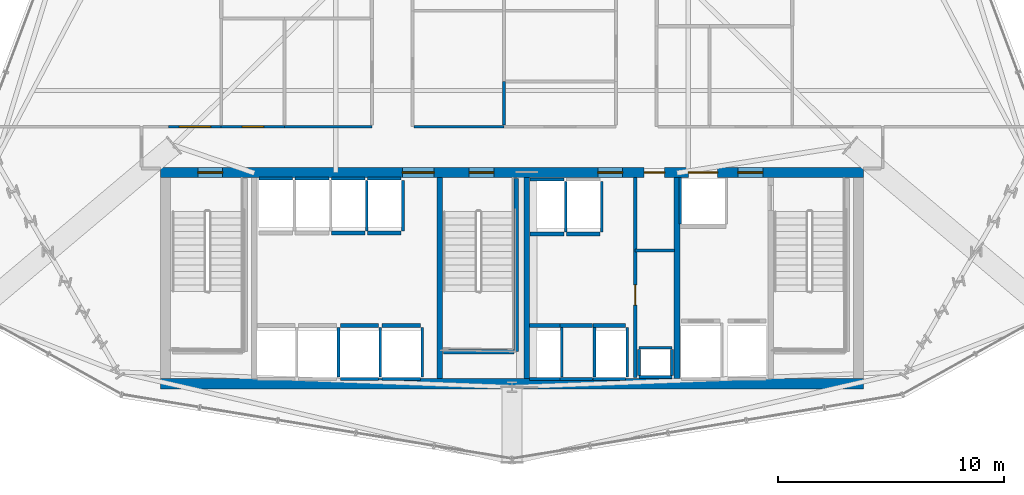
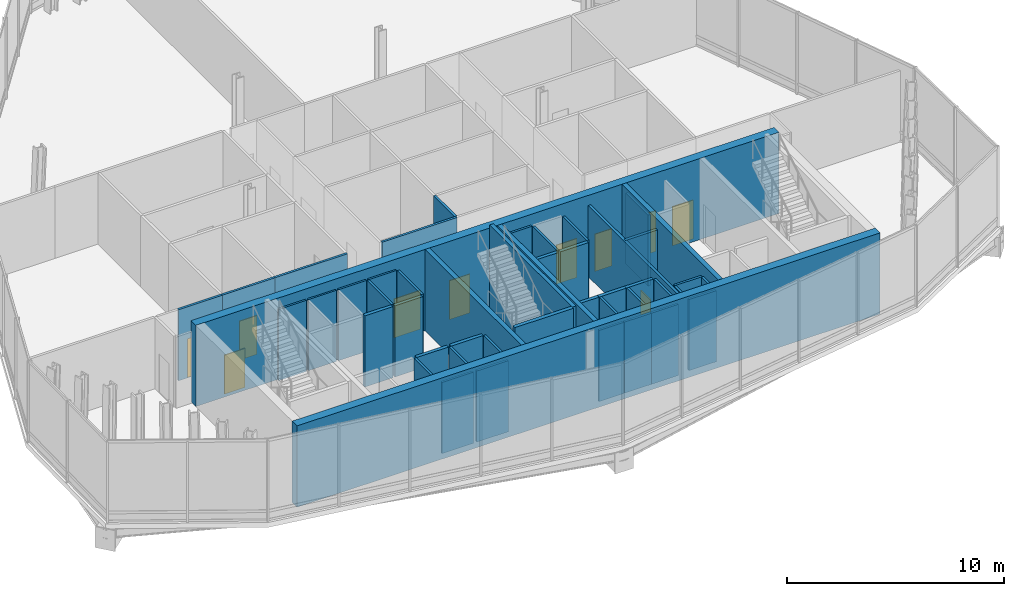
# One storey, part 21 of 26: 48 walls, 10 doors, 10 openings.
"""IFC4 building model written with IfcOpenShell, lengths in metres."""

from ifc_helpers import new_model, si_unit, direction, frame, frame_2d, origin, place, context, subcontext, project, spatial, rectangle, extrude, material, layer, layer_set, type_object, element, fill, save


model = new_model("IFC4")

# Units and contexts
model_context = context("Model", 3, precision=1e-05, world=origin(), true_north=direction((0.0, 1.0)))
body_context = subcontext(model_context, "Body", "Model", "MODEL_VIEW")
ifc_project = project(units=[si_unit("LENGTHUNIT", "METRE"), si_unit("AREAUNIT", "SQUARE_METRE"), si_unit("VOLUMEUNIT", "CUBIC_METRE"), si_unit("PLANEANGLEUNIT", "RADIAN"), si_unit("MASSUNIT", "GRAM", prefix="KILO")], contexts=[model_context])

# Site, building, storey
site_placement = place(None, origin())
site = spatial("IfcSite", under=ifc_project, at=site_placement, CompositionType="ELEMENT")
building_placement = place(site_placement, origin())
building = spatial("IfcBuilding", under=site, at=building_placement, Name="Ndaravel Arena Tower", CompositionType="ELEMENT")
storey_placement = place(building_placement, frame((0.0, 0.0, 122.199951171875)))
storey = spatial("IfcBuildingStorey", under=building, at=storey_placement, Name="L28", CompositionType="ELEMENT", Elevation=122.199951171875)

# Wall, opening, door
ifc_material_1 = material(Name="Gypsum", Category="gypsum")
ifc_layer_1 = layer(ifc_material_1, 0.14990234375)
ifc_layer_set_1 = layer_set([ifc_layer_1], Name="Gypsum")
wall_type_1 = type_object("IfcWallType", Name="WALL-COMP-150", PredefinedType="PARTITIONING", material=ifc_layer_set_1)
wall_1_placement = place(storey_placement, frame((47.449951171875, 5.89990234375, 0.0), z_axis=(0.0, 0.0, 1.0), x_axis=(0.0, 1.0, 0.0)))
wall_1 = element("IfcWall", 1, at=wall_1_placement, inside=storey, type_object=wall_type_1, Name="L28 Core Riser Bay Partition", PredefinedType="PARTITIONING", context=body_context, shape_type="SweptSolid", body=[
    extrude(rectangle(XDim=8.85009765625, YDim=0.14990234375, at=frame_2d((4.425048828125, 0.0))), origin(), (0.0, 0.0, 1.0), 4.010498046875),
])
opening_1_placement = place(wall_1_placement, frame((3.199951171875, 0.0, 0.0)))
opening_1 = element("IfcOpeningElement", 2, at=opening_1_placement, cuts=wall_1, Name="Opening RD-01", PredefinedType="OPENING", context=body_context, shape_type="SweptSolid", body=[
    extrude(rectangle(XDim=0.89990234375, YDim=2.10009765625, at=frame_2d((0.449951171875, 1.050048828125))), frame((0.0, 0.074951171875, 0.0), z_axis=(0.0, -1.0, 0.0), x_axis=(1.0, 0.0, 0.0)), (0.0, 0.0, 1.0), 0.14990234375),
])
ifc_material_2 = material(Name="Steel S355", Category="steel")
door_type_1 = type_object("IfcDoorType", Name="DT-08-RISER-900", OperationType="SINGLE_SWING_LEFT", PredefinedType="DOOR", material=ifc_material_2)
door_1_placement = place(opening_1_placement, origin())
door_1 = element("IfcDoor", 3, at=door_1_placement, inside=storey, type_object=door_type_1, Name="L28 Sub-Metering Closet Door", OperationType="SINGLE_SWING_LEFT", OverallHeight=2.10009765625, OverallWidth=0.89990234375, PredefinedType="DOOR", context=body_context, shape_type="SweptSolid", body=[
    extrude(rectangle(XDim=0.89990234375, YDim=2.10009765625, at=frame_2d((0.449951171875, 1.050048828125))), frame((0.0, 0.02490234375, 0.0), z_axis=(0.0, -1.0, 0.0), x_axis=(1.0, 0.0, 0.0)), (0.0, 0.0, 1.0), 0.050048828125),
])
fill(opening_1, door_1)

# Walls
wall_2_placement = place(storey_placement, frame((47.449951171875, 11.52001953125, 0.0), z_axis=(0.0, 0.0, 1.0), x_axis=(1.0, 0.0, 0.0)))
element("IfcWall", 4, at=wall_2_placement, inside=storey, type_object=wall_type_1, Name="L28 Core Riser Divider 1", PredefinedType="PARTITIONING", context=body_context, shape_type="SweptSolid", body=[
    extrude(rectangle(XDim=1.72998046875, YDim=0.14990234375, at=frame_2d((0.864990234375, 0.0))), origin(), (0.0, 0.0, 1.0), 4.010498046875),
])
ifc_material_3 = material(Name="Concrete C60/75", Category="concrete")
ifc_layer_2 = layer(ifc_material_3, 0.25)
ifc_layer_set_2 = layer_set([ifc_layer_2], Name="Concrete C60/75")
wall_type_2 = type_object("IfcWallType", Name="WALL-CORE-250", PredefinedType="SOLIDWALL", material=ifc_layer_set_2)
for number, where, z_axis, x_axis, name in (
    (5, (38.800048828125, 5.85009765625, 0.0), (0.0, 0.0, 1.0), (0.0, 1.0, 0.0), "L28 Core Web Shear Wall 2"),
    (6, (42.64990234375, 5.85009765625, 0.0), (0.0, 0.0, 1.0), (0.0, 1.0, 0.0), "L28 Core Web Shear Wall 3"),
    (7, (49.300048828125, 5.85009765625, 0.0), (0.0, 0.0, 1.0), (0.0, 1.0, 0.0), "L28 Core Web Shear Wall 4"),
):
    element("IfcWall", number, at=place(storey_placement, frame(where, z_axis=z_axis, x_axis=x_axis)), inside=storey, type_object=wall_type_2, Name=name, PredefinedType="SOLIDWALL", context=body_context, shape_type="SweptSolid", body=[
        extrude(rectangle(XDim=8.89990234375, YDim=0.25, at=frame_2d((4.449951171875, 0.0))), origin(), (0.0, 0.0, 1.0), 4.580078125),
    ])

# Wall, openings, doors
ifc_material_4 = material(Name="Concrete C60/75", Category="concrete")
ifc_layer_3 = layer(ifc_material_4, 0.449951171875)
ifc_layer_set_3 = layer_set([ifc_layer_3], Name="Concrete C60/75")
wall_type_3 = type_object("IfcWallType", Name="WALL-CORE-450", PredefinedType="SOLIDWALL", material=ifc_layer_set_3)
wall_3_placement = place(storey_placement, frame((26.449951171875, 14.97509765625, 0.0), z_axis=(0.0, 0.0, 1.0), x_axis=(1.0, 0.0, 0.0)))
wall_3 = element("IfcWall", 8, at=wall_3_placement, inside=storey, type_object=wall_type_3, Name="L28 Core North Shear Wall", PredefinedType="SOLIDWALL", context=body_context, shape_type="SweptSolid", body=[
    extrude(rectangle(XDim=31.10009765625, YDim=0.449951171875, at=frame_2d((15.550048828125, 0.0))), origin(), (0.0, 0.0, 1.0), 4.580078125),
])
opening_2_placement = place(wall_3_placement, frame((1.64990234375, 0.0, 0.0)))
opening_2 = element("IfcOpeningElement", 9, at=opening_2_placement, cuts=wall_3, Name="Opening FD-01", PredefinedType="OPENING", context=body_context, shape_type="SweptSolid", body=[
    extrude(rectangle(XDim=1.10009765625, YDim=2.199951171875, at=frame_2d((0.550048828125, 1.10009765625))), frame((0.0, 0.22509765625, 0.0), z_axis=(0.0, -1.0, 0.0), x_axis=(1.0, 0.0, 0.0)), (0.0, 0.0, 1.0), 0.449951171875),
])
opening_3_placement = place(wall_3_placement, frame((13.64990234375, 0.0, 0.0)))
opening_3 = element("IfcOpeningElement", 10, at=opening_3_placement, cuts=wall_3, Name="Opening FD-01", PredefinedType="OPENING", context=body_context, shape_type="SweptSolid", body=[
    extrude(rectangle(XDim=1.10009765625, YDim=2.199951171875, at=frame_2d((0.550048828125, 1.10009765625))), frame((0.0, 0.22509765625, 0.0), z_axis=(0.0, -1.0, 0.0), x_axis=(1.0, 0.0, 0.0)), (0.0, 0.0, 1.0), 0.449951171875),
])
opening_4_placement = place(wall_3_placement, frame((25.550048828125, 0.0, 0.0)))
opening_4 = element("IfcOpeningElement", 11, at=opening_4_placement, cuts=wall_3, Name="Opening FD-01", PredefinedType="OPENING", context=body_context, shape_type="SweptSolid", body=[
    extrude(rectangle(XDim=1.10009765625, YDim=2.199951171875, at=frame_2d((0.550048828125, 1.10009765625))), frame((0.0, 0.22509765625, 0.0), z_axis=(0.0, -1.0, 0.0), x_axis=(1.0, 0.0, 0.0)), (0.0, 0.0, 1.0), 0.449951171875),
])
opening_5_placement = place(wall_3_placement, frame((10.699951171875, 0.0, 0.0)))
opening_5 = element("IfcOpeningElement", 12, at=opening_5_placement, cuts=wall_3, Name="Opening ID-02", PredefinedType="OPENING", context=body_context, shape_type="SweptSolid", body=[
    extrude(rectangle(XDim=1.39990234375, YDim=2.199951171875, at=frame_2d((0.699951171875, 1.10009765625))), frame((0.0, 0.22509765625, 0.0), z_axis=(0.0, -1.0, 0.0), x_axis=(1.0, 0.0, 0.0)), (0.0, 0.0, 1.0), 0.449951171875),
])
opening_6_placement = place(wall_3_placement, frame((19.35009765625, 0.0, 0.0)))
opening_6 = element("IfcOpeningElement", 13, at=opening_6_placement, cuts=wall_3, Name="Opening FD-01", PredefinedType="OPENING", context=body_context, shape_type="SweptSolid", body=[
    extrude(rectangle(XDim=1.10009765625, YDim=2.199951171875, at=frame_2d((0.550048828125, 1.10009765625))), frame((0.0, 0.22509765625, 0.0), z_axis=(0.0, -1.0, 0.0), x_axis=(1.0, 0.0, 0.0)), (0.0, 0.0, 1.0), 0.449951171875),
])
opening_7_placement = place(wall_3_placement, frame((21.39990234375, 0.0, 0.0)))
opening_7 = element("IfcOpeningElement", 14, at=opening_7_placement, cuts=wall_3, Name="Opening RD-01", PredefinedType="OPENING", context=body_context, shape_type="SweptSolid", body=[
    extrude(rectangle(XDim=0.89990234375, YDim=2.10009765625, at=frame_2d((0.449951171875, 1.050048828125))), frame((0.0, 0.22509765625, 0.0), z_axis=(0.0, -1.0, 0.0), x_axis=(1.0, 0.0, 0.0)), (0.0, 0.0, 1.0), 0.449951171875),
])
opening_8_placement = place(wall_3_placement, frame((23.35009765625, 0.0, 0.0)))
opening_8 = element("IfcOpeningElement", 15, at=opening_8_placement, cuts=wall_3, Name="Opening LD-02", PredefinedType="OPENING", context=body_context, shape_type="SweptSolid", body=[
    extrude(rectangle(XDim=1.300048828125, YDim=2.300048828125, at=frame_2d((0.64990234375, 1.14990234375))), frame((0.0, 0.22509765625, 0.0), z_axis=(0.0, -1.0, 0.0), x_axis=(1.0, 0.0, 0.0)), (0.0, 0.0, 1.0), 0.449951171875),
])
ifc_material_5 = material(Name="Steel S355", Category="steel")
door_type_2 = type_object("IfcDoorType", Name="DT-01-STAIR-1100", OperationType="SINGLE_SWING_LEFT", PredefinedType="DOOR", material=ifc_material_5)
door_2_placement = place(opening_2_placement, origin())
door_2 = element("IfcDoor", 16, at=door_2_placement, inside=storey, type_object=door_type_2, Name="L28 Exit Stair ST-1 Door", OperationType="SINGLE_SWING_LEFT", OverallHeight=2.199951171875, OverallWidth=1.10009765625, PredefinedType="DOOR", context=body_context, shape_type="SweptSolid", body=[
    extrude(rectangle(XDim=1.10009765625, YDim=2.199951171875, at=frame_2d((0.550048828125, 1.10009765625))), frame((0.0, 0.02490234375, 0.0), z_axis=(0.0, -1.0, 0.0), x_axis=(1.0, 0.0, 0.0)), (0.0, 0.0, 1.0), 0.050048828125),
])
fill(opening_2, door_2)
door_3_placement = place(opening_3_placement, origin())
door_3 = element("IfcDoor", 17, at=door_3_placement, inside=storey, type_object=door_type_2, Name="L28 Exit Stair ST-2 Door", OperationType="SINGLE_SWING_RIGHT", OverallHeight=2.199951171875, OverallWidth=1.10009765625, PredefinedType="DOOR", context=body_context, shape_type="SweptSolid", body=[
    extrude(rectangle(XDim=1.10009765625, YDim=2.199951171875, at=frame_2d((0.550048828125, 1.10009765625))), frame((0.0, 0.02490234375, 0.0), z_axis=(0.0, -1.0, 0.0), x_axis=(1.0, 0.0, 0.0)), (0.0, 0.0, 1.0), 0.050048828125),
])
fill(opening_3, door_3)
door_4_placement = place(opening_4_placement, origin())
door_4 = element("IfcDoor", 18, at=door_4_placement, inside=storey, type_object=door_type_2, Name="L28 Firefighting Lift Lobby Door", OperationType="SINGLE_SWING_RIGHT", OverallHeight=2.199951171875, OverallWidth=1.10009765625, PredefinedType="DOOR", context=body_context, shape_type="SweptSolid", body=[
    extrude(rectangle(XDim=1.10009765625, YDim=2.199951171875, at=frame_2d((0.550048828125, 1.10009765625))), frame((0.0, 0.02490234375, 0.0), z_axis=(0.0, -1.0, 0.0), x_axis=(1.0, 0.0, 0.0)), (0.0, 0.0, 1.0), 0.050048828125),
])
fill(opening_4, door_4)
door_5_placement = place(opening_6_placement, origin())
door_5 = element("IfcDoor", 19, at=door_5_placement, inside=storey, type_object=door_type_2, Name="L28 Express Lift Lobby Entry Door", OperationType="SINGLE_SWING_LEFT", OverallHeight=2.199951171875, OverallWidth=1.10009765625, PredefinedType="DOOR", context=body_context, shape_type="SweptSolid", body=[
    extrude(rectangle(XDim=1.10009765625, YDim=2.199951171875, at=frame_2d((0.550048828125, 1.10009765625))), frame((0.0, 0.02490234375, 0.0), z_axis=(0.0, -1.0, 0.0), x_axis=(1.0, 0.0, 0.0)), (0.0, 0.0, 1.0), 0.050048828125),
])
fill(opening_6, door_5)
ifc_material_6 = material(Name="Timber", Category="wood")
door_type_3 = type_object("IfcDoorType", Name="DT-04-SUITE-1400", OperationType="DOUBLE_DOOR_SINGLE_SWING", PredefinedType="DOOR", material=ifc_material_6)
door_6_placement = place(opening_5_placement, origin())
door_6 = element("IfcDoor", 20, at=door_6_placement, inside=storey, type_object=door_type_3, Name="L28 West Lift Lobby Entry Door", OperationType="DOUBLE_DOOR_SINGLE_SWING", OverallHeight=2.199951171875, OverallWidth=1.39990234375, PredefinedType="DOOR", context=body_context, shape_type="SweptSolid", body=[
    extrude(rectangle(XDim=1.39990234375, YDim=2.199951171875, at=frame_2d((0.699951171875, 1.10009765625))), frame((0.0, 0.02490234375, 0.0), z_axis=(0.0, -1.0, 0.0), x_axis=(1.0, 0.0, 0.0)), (0.0, 0.0, 1.0), 0.050048828125),
])
fill(opening_5, door_6)
ifc_material_7 = material(Name="Steel S355", Category="steel")
door_type_4 = type_object("IfcDoorType", Name="DT-07-SVLIFT-1300", OperationType="DOUBLE_DOOR_SLIDING", PredefinedType="DOOR", material=ifc_material_7)
door_7_placement = place(opening_8_placement, origin())
door_7 = element("IfcDoor", 21, at=door_7_placement, inside=storey, type_object=door_type_4, Name="L28 Lift SVL-1 Sliding Landing Door", OperationType="DOUBLE_DOOR_SLIDING", OverallHeight=2.300048828125, OverallWidth=1.300048828125, PredefinedType="DOOR", context=body_context, shape_type="SweptSolid", body=[
    extrude(rectangle(XDim=1.300048828125, YDim=2.300048828125, at=frame_2d((0.64990234375, 1.14990234375))), frame((0.0, 0.02490234375, 0.0), z_axis=(0.0, -1.0, 0.0), x_axis=(1.0, 0.0, 0.0)), (0.0, 0.0, 1.0), 0.050048828125),
])
fill(opening_8, door_7)
door_8_placement = place(opening_7_placement, origin())
door_8 = element("IfcDoor", 22, at=door_8_placement, inside=storey, type_object=door_type_1, Name="L28 Core Service Riser North Door", OperationType="SINGLE_SWING_LEFT", OverallHeight=2.10009765625, OverallWidth=0.89990234375, PredefinedType="DOOR", context=body_context, shape_type="SweptSolid", body=[
    extrude(rectangle(XDim=0.89990234375, YDim=2.10009765625, at=frame_2d((0.449951171875, 1.050048828125))), frame((0.0, 0.02490234375, 0.0), z_axis=(0.0, -1.0, 0.0), x_axis=(1.0, 0.0, 0.0)), (0.0, 0.0, 1.0), 0.050048828125),
])
fill(opening_7, door_8)

# Wall
wall_4_placement = place(storey_placement, frame((26.449951171875, 5.625, 0.0), z_axis=(0.0, 0.0, 1.0), x_axis=(1.0, 0.0, 0.0)))
element("IfcWall", 23, at=wall_4_placement, inside=storey, type_object=wall_type_3, Name="L28 Core South Shear Wall", PredefinedType="SOLIDWALL", context=body_context, shape_type="SweptSolid", body=[
    extrude(rectangle(XDim=31.10009765625, YDim=0.449951171875, at=frame_2d((15.550048828125, 0.0))), origin(), (0.0, 0.0, 1.0), 4.580078125),
])

# Wall, opening, door
ifc_material_8 = material(Name="Gypsum", Category="gypsum")
ifc_layer_4 = layer(ifc_material_8, 0.125)
ifc_layer_set_4 = layer_set([ifc_layer_4], Name="Gypsum")
wall_type_4 = type_object("IfcWallType", Name="WALL-PART-125", PredefinedType="PARTITIONING", material=ifc_layer_set_4)
wall_5_placement = place(storey_placement, frame((26.800048828125, 17.0, 0.0), z_axis=(0.0, 0.0, 1.0), x_axis=(1.0, 0.0, 0.0)))
wall_5 = element("IfcWall", 24, at=wall_5_placement, inside=storey, type_object=wall_type_4, Name="L28 Interior Partition 006", PredefinedType="PARTITIONING", context=body_context, shape_type="SweptSolid", body=[
    extrude(rectangle(XDim=2.3330078125, YDim=0.125, at=frame_2d((1.16650390625, 0.0))), origin(), (0.0, 0.0, 1.0), 4.010498046875),
])
opening_9_placement = place(wall_5_placement, frame((0.466552734375, 0.0, 0.0)))
opening_9 = element("IfcOpeningElement", 25, at=opening_9_placement, cuts=wall_5, Name="Opening ID-02", PredefinedType="OPENING", context=body_context, shape_type="SweptSolid", body=[
    extrude(rectangle(XDim=1.39990234375, YDim=2.199951171875, at=frame_2d((0.699951171875, 1.10009765625))), frame((0.0, 0.0625, 0.0), z_axis=(0.0, -1.0, 0.0), x_axis=(1.0, 0.0, 0.0)), (0.0, 0.0, 1.0), 0.125),
])
door_9_placement = place(opening_9_placement, origin())
door_9 = element("IfcDoor", 26, at=door_9_placement, inside=storey, type_object=door_type_3, Name="L28 Executive Dining Lounge 4 Door", OperationType="SINGLE_SWING_RIGHT", OverallHeight=2.199951171875, OverallWidth=1.39990234375, PredefinedType="DOOR", context=body_context, shape_type="SweptSolid", body=[
    extrude(rectangle(XDim=1.39990234375, YDim=2.199951171875, at=frame_2d((0.699951171875, 1.10009765625))), frame((0.0, 0.02490234375, 0.0), z_axis=(0.0, -1.0, 0.0), x_axis=(1.0, 0.0, 0.0)), (0.0, 0.0, 1.0), 0.050048828125),
])
fill(opening_9, door_9)

wall_6_placement = place(storey_placement, frame((29.133056640625, 17.0, 0.0), z_axis=(0.0, 0.0, 1.0), x_axis=(1.0, 0.0, 0.0)))
wall_6 = element("IfcWall", 27, at=wall_6_placement, inside=storey, type_object=wall_type_4, Name="L28 Interior Partition 007", PredefinedType="PARTITIONING", context=body_context, shape_type="SweptSolid", body=[
    extrude(rectangle(XDim=2.800048828125, YDim=0.125, at=frame_2d((1.39990234375, 0.0))), origin(), (0.0, 0.0, 1.0), 4.010498046875),
])
opening_10_placement = place(wall_6_placement, frame((0.925048828125, 0.0, 0.0)))
opening_10 = element("IfcOpeningElement", 28, at=opening_10_placement, cuts=wall_6, Name="Opening ID-01", PredefinedType="OPENING", context=body_context, shape_type="SweptSolid", body=[
    extrude(rectangle(XDim=0.949951171875, YDim=2.199951171875, at=frame_2d((0.47509765625, 1.10009765625))), frame((0.0, 0.0625, 0.0), z_axis=(0.0, -1.0, 0.0), x_axis=(1.0, 0.0, 0.0)), (0.0, 0.0, 1.0), 0.125),
])
ifc_material_9 = material(Name="Timber", Category="wood")
door_type_5 = type_object("IfcDoorType", Name="DT-03-OFFICE-950", OperationType="SINGLE_SWING_LEFT", PredefinedType="DOOR", material=ifc_material_9)
door_10_placement = place(opening_10_placement, origin())
door_10 = element("IfcDoor", 29, at=door_10_placement, inside=storey, type_object=door_type_5, Name="L28 Project Seminar Room 3 Door", OperationType="SINGLE_SWING_RIGHT", OverallHeight=2.199951171875, OverallWidth=0.949951171875, PredefinedType="DOOR", context=body_context, shape_type="SweptSolid", body=[
    extrude(rectangle(XDim=0.949951171875, YDim=2.199951171875, at=frame_2d((0.47509765625, 1.10009765625))), frame((0.0, 0.02490234375, 0.0), z_axis=(0.0, -1.0, 0.0), x_axis=(1.0, 0.0, 0.0)), (0.0, 0.0, 1.0), 0.050048828125),
])
fill(opening_10, door_10)

# Walls
wall_7_placement = place(storey_placement, frame((31.93310546875, 17.0, 0.0), z_axis=(0.0, 0.0, 1.0), x_axis=(1.0, 0.0, 0.0)))
element("IfcWall", 30, at=wall_7_placement, inside=storey, type_object=wall_type_4, Name="L28 Interior Partition 008", PredefinedType="PARTITIONING", context=body_context, shape_type="SweptSolid", body=[
    extrude(rectangle(XDim=3.866943359375, YDim=0.125, at=frame_2d((1.93359375, 0.0))), origin(), (0.0, 0.0, 1.0), 4.010498046875),
])
wall_8_placement = place(storey_placement, frame((37.6650390625, 17.0, 0.0), z_axis=(0.0, 0.0, 1.0), x_axis=(1.0, 0.0, 0.0)))
element("IfcWall", 31, at=wall_8_placement, inside=storey, type_object=wall_type_4, Name="L28 Interior Partition 016", PredefinedType="PARTITIONING", context=body_context, shape_type="SweptSolid", body=[
    extrude(rectangle(XDim=3.98486328125, YDim=0.125, at=frame_2d((1.992431640625, 0.0))), origin(), (0.0, 0.0, 1.0), 4.010498046875),
])
wall_9_placement = place(storey_placement, frame((41.64990234375, 17.06494140625, 0.0), z_axis=(0.0, 0.0, 1.0), x_axis=(0.0, 1.0, 0.0)))
element("IfcWall", 32, at=wall_9_placement, inside=storey, type_object=wall_type_4, Name="L28 Interior Partition 031", PredefinedType="PARTITIONING", context=body_context, shape_type="SweptSolid", body=[
    extrude(rectangle(XDim=1.935791015625, YDim=0.125, at=frame_2d((0.9677734375, 0.0))), origin(), (0.0, 0.0, 1.0), 4.010498046875),
])
ifc_material_10 = material(Name="Concrete C40/50", Category="concrete")
ifc_layer_5 = layer(ifc_material_10, 0.1201171875)
ifc_layer_set_5 = layer_set([ifc_layer_5], Name="Concrete C40/50")
wall_type_5 = type_object("IfcWallType", Name="WALL-SHAFT-120", PredefinedType="SOLIDWALL", material=ifc_layer_set_5)
for number, where, z_axis, x_axis, name in (
    (33, (47.6201171875, 5.919921875, 0.0), (0.0, 0.0, 1.0), (1.0, 0.0, 0.0), "L28 MEP Riser Shaft S Wall"),
    (34, (47.6201171875, 7.219970703125, 0.0), (0.0, 0.0, 1.0), (1.0, 0.0, 0.0), "L28 MEP Riser Shaft N Wall"),
):
    element("IfcWall", number, at=place(storey_placement, frame(where, z_axis=z_axis, x_axis=x_axis)), inside=storey, type_object=wall_type_5, Name=name, PredefinedType="SOLIDWALL", context=body_context, shape_type="SweptSolid", body=[
        extrude(rectangle(XDim=1.4599609375, YDim=0.1201171875, at=frame_2d((0.72998046875, 0.0))), origin(), (0.0, 0.0, 1.0), 4.010498046875),
    ])
for number, where, z_axis, x_axis, name in (
    (35, (47.6201171875, 6.0, 0.0), (0.0, 0.0, 1.0), (0.0, 1.0, 0.0), "L28 MEP Riser Shaft W Wall"),
    (36, (49.080078125, 6.0, 0.0), (0.0, 0.0, 1.0), (0.0, 1.0, 0.0), "L28 MEP Riser Shaft E Wall"),
):
    element("IfcWall", number, at=place(storey_placement, frame(where, z_axis=z_axis, x_axis=x_axis)), inside=storey, type_object=wall_type_5, Name=name, PredefinedType="SOLIDWALL", context=body_context, shape_type="SweptSolid", body=[
        extrude(rectangle(XDim=1.139892578125, YDim=0.1201171875, at=frame_2d((0.56982421875, 0.0))), origin(), (0.0, 0.0, 1.0), 4.010498046875),
    ])
wall_10_placement = place(storey_placement, frame((34.324951171875, 5.929931640625, 0.0), z_axis=(0.0, 0.0, 1.0), x_axis=(0.0, 1.0, 0.0)))
element("IfcWall", 37, at=wall_10_placement, inside=storey, type_object=wall_type_5, Name="L28 PL-L2 Shaft Side R Wall", PredefinedType="SOLIDWALL", context=body_context, shape_type="SweptSolid", body=[
    extrude(rectangle(XDim=2.18017578125, YDim=0.1201171875, at=frame_2d((1.090087890625, 0.0))), origin(), (0.0, 0.0, 1.0), 4.010498046875),
])
wall_11_placement = place(storey_placement, frame((34.405029296875, 5.840087890625, 0.0), z_axis=(0.0, 0.0, 1.0), x_axis=(1.0, 0.0, 0.0)))
element("IfcWall", 38, at=wall_11_placement, inside=storey, type_object=wall_type_5, Name="L28 PL-L3 Shaft Rear Wall", PredefinedType="SOLIDWALL", context=body_context, shape_type="SweptSolid", body=[
    extrude(rectangle(XDim=1.68994140625, YDim=0.1201171875, at=frame_2d((0.844970703125, 0.0))), origin(), (0.0, 0.0, 1.0), 4.010498046875),
])
wall_12_placement = place(storey_placement, frame((36.175048828125, 5.929931640625, 0.0), z_axis=(0.0, 0.0, 1.0), x_axis=(0.0, 1.0, 0.0)))
element("IfcWall", 39, at=wall_12_placement, inside=storey, type_object=wall_type_5, Name="L28 PL-L3 Shaft Side R Wall", PredefinedType="SOLIDWALL", context=body_context, shape_type="SweptSolid", body=[
    extrude(rectangle(XDim=2.18017578125, YDim=0.1201171875, at=frame_2d((1.090087890625, 0.0))), origin(), (0.0, 0.0, 1.0), 4.010498046875),
])
wall_13_placement = place(storey_placement, frame((36.2548828125, 5.840087890625, 0.0), z_axis=(0.0, 0.0, 1.0), x_axis=(1.0, 0.0, 0.0)))
element("IfcWall", 40, at=wall_13_placement, inside=storey, type_object=wall_type_5, Name="L28 PL-L4 Shaft Rear Wall", PredefinedType="SOLIDWALL", context=body_context, shape_type="SweptSolid", body=[
    extrude(rectangle(XDim=1.690185546875, YDim=0.1201171875, at=frame_2d((0.84521484375, 0.0))), origin(), (0.0, 0.0, 1.0), 4.010498046875),
])
wall_14_placement = place(storey_placement, frame((38.02490234375, 5.929931640625, 0.0), z_axis=(0.0, 0.0, 1.0), x_axis=(0.0, 1.0, 0.0)))
element("IfcWall", 41, at=wall_14_placement, inside=storey, type_object=wall_type_5, Name="L28 PL-L4 Shaft Side R Wall", PredefinedType="SOLIDWALL", context=body_context, shape_type="SweptSolid", body=[
    extrude(rectangle(XDim=2.18017578125, YDim=0.1201171875, at=frame_2d((1.090087890625, 0.0))), origin(), (0.0, 0.0, 1.0), 4.010498046875),
])
for number, where, z_axis, x_axis, name in (
    (42, (30.804931640625, 14.7099609375, 0.0), (0.0, 0.0, 1.0), (1.0, 0.0, 0.0), "L28 PL-M1 Shaft Rear Wall"),
    (43, (32.405029296875, 14.7099609375, 0.0), (0.0, 0.0, 1.0), (1.0, 0.0, 0.0), "L28 PL-M2 Shaft Rear Wall"),
):
    element("IfcWall", number, at=place(storey_placement, frame(where, z_axis=z_axis, x_axis=x_axis)), inside=storey, type_object=wall_type_5, Name=name, PredefinedType="SOLIDWALL", context=body_context, shape_type="SweptSolid", body=[
        extrude(rectangle(XDim=1.489990234375, YDim=0.1201171875, at=frame_2d((0.7451171875, 0.0))), origin(), (0.0, 0.0, 1.0), 4.010498046875),
    ])
wall_15_placement = place(storey_placement, frame((34.0048828125, 14.7099609375, 0.0), z_axis=(0.0, 0.0, 1.0), x_axis=(1.0, 0.0, 0.0)))
element("IfcWall", 44, at=wall_15_placement, inside=storey, type_object=wall_type_5, Name="L28 PL-M3 Shaft Rear Wall", PredefinedType="SOLIDWALL", context=body_context, shape_type="SweptSolid", body=[
    extrude(rectangle(XDim=1.490234375, YDim=0.1201171875, at=frame_2d((0.7451171875, 0.0))), origin(), (0.0, 0.0, 1.0), 4.010498046875),
])
wall_16_placement = place(storey_placement, frame((35.574951171875, 12.389892578125, 0.0), z_axis=(0.0, 0.0, 1.0), x_axis=(0.0, 1.0, 0.0)))
element("IfcWall", 45, at=wall_16_placement, inside=storey, type_object=wall_type_5, Name="L28 PL-M3 Shaft Side R Wall", PredefinedType="SOLIDWALL", context=body_context, shape_type="SweptSolid", body=[
    extrude(rectangle(XDim=2.230224609375, YDim=0.1201171875, at=frame_2d((1.115234375, 0.0))), origin(), (0.0, 0.0, 1.0), 4.010498046875),
])
wall_17_placement = place(storey_placement, frame((35.60498046875, 14.7099609375, 0.0), z_axis=(0.0, 0.0, 1.0), x_axis=(1.0, 0.0, 0.0)))
element("IfcWall", 46, at=wall_17_placement, inside=storey, type_object=wall_type_5, Name="L28 PL-M4 Shaft Rear Wall", PredefinedType="SOLIDWALL", context=body_context, shape_type="SweptSolid", body=[
    extrude(rectangle(XDim=1.489990234375, YDim=0.1201171875, at=frame_2d((0.7451171875, 0.0))), origin(), (0.0, 0.0, 1.0), 4.010498046875),
])
wall_18_placement = place(storey_placement, frame((37.175048828125, 12.389892578125, 0.0), z_axis=(0.0, 0.0, 1.0), x_axis=(0.0, 1.0, 0.0)))
element("IfcWall", 47, at=wall_18_placement, inside=storey, type_object=wall_type_5, Name="L28 PL-M4 Shaft Side R Wall", PredefinedType="SOLIDWALL", context=body_context, shape_type="SweptSolid", body=[
    extrude(rectangle(XDim=2.230224609375, YDim=0.1201171875, at=frame_2d((1.115234375, 0.0))), origin(), (0.0, 0.0, 1.0), 4.010498046875),
])
wall_19_placement = place(storey_placement, frame((42.780029296875, 5.840087890625, 0.0), z_axis=(0.0, 0.0, 1.0), x_axis=(1.0, 0.0, 0.0)))
element("IfcWall", 48, at=wall_19_placement, inside=storey, type_object=wall_type_5, Name="L28 PL-H1 Shaft Rear Wall", PredefinedType="SOLIDWALL", context=body_context, shape_type="SweptSolid", body=[
    extrude(rectangle(XDim=1.340087890625, YDim=0.1201171875, at=frame_2d((0.669921875, 0.0))), origin(), (0.0, 0.0, 1.0), 4.010498046875),
])
wall_20_placement = place(storey_placement, frame((44.199951171875, 5.929931640625, 0.0), z_axis=(0.0, 0.0, 1.0), x_axis=(0.0, 1.0, 0.0)))
element("IfcWall", 49, at=wall_20_placement, inside=storey, type_object=wall_type_5, Name="L28 PL-H1 Shaft Side R Wall", PredefinedType="SOLIDWALL", context=body_context, shape_type="SweptSolid", body=[
    extrude(rectangle(XDim=2.18017578125, YDim=0.1201171875, at=frame_2d((1.090087890625, 0.0))), origin(), (0.0, 0.0, 1.0), 4.010498046875),
])
wall_21_placement = place(storey_placement, frame((44.1298828125, 5.840087890625, 0.0), z_axis=(0.0, 0.0, 1.0), x_axis=(1.0, 0.0, 0.0)))
element("IfcWall", 50, at=wall_21_placement, inside=storey, type_object=wall_type_5, Name="L28 PL-H2 Shaft Rear Wall", PredefinedType="SOLIDWALL", context=body_context, shape_type="SweptSolid", body=[
    extrude(rectangle(XDim=1.440185546875, YDim=0.1201171875, at=frame_2d((0.72021484375, 0.0))), origin(), (0.0, 0.0, 1.0), 4.010498046875),
])
wall_22_placement = place(storey_placement, frame((45.64990234375, 5.929931640625, 0.0), z_axis=(0.0, 0.0, 1.0), x_axis=(0.0, 1.0, 0.0)))
element("IfcWall", 51, at=wall_22_placement, inside=storey, type_object=wall_type_5, Name="L28 PL-H2 Shaft Side R Wall", PredefinedType="SOLIDWALL", context=body_context, shape_type="SweptSolid", body=[
    extrude(rectangle(XDim=2.18017578125, YDim=0.1201171875, at=frame_2d((1.090087890625, 0.0))), origin(), (0.0, 0.0, 1.0), 4.010498046875),
])
wall_23_placement = place(storey_placement, frame((45.580078125, 5.840087890625, 0.0), z_axis=(0.0, 0.0, 1.0), x_axis=(1.0, 0.0, 0.0)))
element("IfcWall", 52, at=wall_23_placement, inside=storey, type_object=wall_type_5, Name="L28 PL-H3 Shaft Rear Wall", PredefinedType="SOLIDWALL", context=body_context, shape_type="SweptSolid", body=[
    extrude(rectangle(XDim=1.43994140625, YDim=0.1201171875, at=frame_2d((0.719970703125, 0.0))), origin(), (0.0, 0.0, 1.0), 4.010498046875),
])
wall_24_placement = place(storey_placement, frame((47.10009765625, 5.929931640625, 0.0), z_axis=(0.0, 0.0, 1.0), x_axis=(0.0, 1.0, 0.0)))
element("IfcWall", 53, at=wall_24_placement, inside=storey, type_object=wall_type_5, Name="L28 PL-H3 Shaft Side R Wall", PredefinedType="SOLIDWALL", context=body_context, shape_type="SweptSolid", body=[
    extrude(rectangle(XDim=2.18017578125, YDim=0.1201171875, at=frame_2d((1.090087890625, 0.0))), origin(), (0.0, 0.0, 1.0), 4.010498046875),
])
wall_25_placement = place(storey_placement, frame((42.804931640625, 14.659912109375, 0.0), z_axis=(0.0, 0.0, 1.0), x_axis=(1.0, 0.0, 0.0)))
element("IfcWall", 54, at=wall_25_placement, inside=storey, type_object=wall_type_5, Name="L28 PL-OBS1 Shaft Rear Wall", PredefinedType="SOLIDWALL", context=body_context, shape_type="SweptSolid", body=[
    extrude(rectangle(XDim=1.489990234375, YDim=0.1201171875, at=frame_2d((0.7451171875, 0.0))), origin(), (0.0, 0.0, 1.0), 4.010498046875),
])
for number, where, z_axis, x_axis, name in (
    (55, (44.375, 12.340087890625, 0.0), (0.0, 0.0, 1.0), (0.0, 1.0, 0.0), "L28 PL-OBS1 Shaft Side R Wall"),
    (56, (45.97509765625, 12.340087890625, 0.0), (0.0, 0.0, 1.0), (0.0, 1.0, 0.0), "L28 PL-OBS2 Shaft Side R Wall"),
):
    element("IfcWall", number, at=place(storey_placement, frame(where, z_axis=z_axis, x_axis=x_axis)), inside=storey, type_object=wall_type_5, Name=name, PredefinedType="SOLIDWALL", context=body_context, shape_type="SweptSolid", body=[
        extrude(rectangle(XDim=2.22998046875, YDim=0.1201171875, at=frame_2d((1.114990234375, 0.0))), origin(), (0.0, 0.0, 1.0), 4.010498046875),
    ])
wall_26_placement = place(storey_placement, frame((49.43994140625, 12.68994140625, 0.0), z_axis=(0.0, 0.0, 1.0), x_axis=(0.0, 1.0, 0.0)))
element("IfcWall", 57, at=wall_26_placement, inside=storey, type_object=wall_type_5, Name="L28 SVL-1 Shaft W Wall", PredefinedType="SOLIDWALL", context=body_context, shape_type="SweptSolid", body=[
    extrude(rectangle(XDim=2.070068359375, YDim=0.1201171875, at=frame_2d((1.03515625, 0.0))), origin(), (0.0, 0.0, 1.0), 4.010498046875),
])
ifc_material_11 = material(Name="Concrete C40/50", Category="concrete")
ifc_layer_6 = layer(ifc_material_11, 0.199951171875)
ifc_layer_set_6 = layer_set([ifc_layer_6], Name="Concrete C40/50")
wall_type_6 = type_object("IfcWallType", Name="WALL-SHAFT-200", PredefinedType="SOLIDWALL", material=ifc_layer_set_6)
wall_27_placement = place(storey_placement, frame((42.18994140625, 14.699951171875, 0.0), z_axis=(0.0, 0.0, 1.0), x_axis=(0.0, -1.0, 0.0)))
element("IfcWall", 58, at=wall_27_placement, inside=storey, type_object=wall_type_6, Name="L28 ST-2 Structural Shaft Wall Right", PredefinedType="SOLIDWALL", context=body_context, shape_type="SweptSolid", body=[
    extrude(rectangle(XDim=7.64990234375, YDim=0.199951171875, at=frame_2d((3.824951171875, 0.0))), origin(), (0.0, 0.0, 1.0), 4.800048828125),
])
wall_28_placement = place(storey_placement, frame((38.969970703125, 7.050048828125, 0.0), z_axis=(0.0, 0.0, 1.0), x_axis=(1.0, 0.0, 0.0)))
element("IfcWall", 59, at=wall_28_placement, inside=storey, type_object=wall_type_6, Name="L28 ST-2 Structural Shaft Wall Far", PredefinedType="SOLIDWALL", context=body_context, shape_type="SweptSolid", body=[
    extrude(rectangle(XDim=3.114990234375, YDim=0.199951171875, at=frame_2d((1.5576171875, 0.0))), origin(), (0.0, 0.0, 1.0), 4.800048828125),
])
wall_29_placement = place(storey_placement, frame((34.405029296875, 8.199951171875, 0.0), z_axis=(0.0, 0.0, 1.0), x_axis=(1.0, 0.0, 0.0)))
element("IfcWall", 60, at=wall_29_placement, inside=storey, type_object=wall_type_6, Name="L28 PL-L3 Shaft Landing Wall", PredefinedType="SOLIDWALL", context=body_context, shape_type="SweptSolid", body=[
    extrude(rectangle(XDim=1.68994140625, YDim=0.179931640625, at=frame_2d((0.844970703125, 0.0))), origin(), (0.0, 0.0, 1.0), 4.010498046875),
])
wall_30_placement = place(storey_placement, frame((36.2548828125, 8.199951171875, 0.0), z_axis=(0.0, 0.0, 1.0), x_axis=(1.0, 0.0, 0.0)))
element("IfcWall", 61, at=wall_30_placement, inside=storey, type_object=wall_type_6, Name="L28 PL-L4 Shaft Landing Wall", PredefinedType="SOLIDWALL", context=body_context, shape_type="SweptSolid", body=[
    extrude(rectangle(XDim=1.690185546875, YDim=0.179931640625, at=frame_2d((0.84521484375, 0.0))), origin(), (0.0, 0.0, 1.0), 4.010498046875),
])
wall_31_placement = place(storey_placement, frame((34.0048828125, 12.300048828125, 0.0), z_axis=(0.0, 0.0, 1.0), x_axis=(1.0, 0.0, 0.0)))
element("IfcWall", 62, at=wall_31_placement, inside=storey, type_object=wall_type_6, Name="L28 PL-M3 Shaft Landing Wall", PredefinedType="SOLIDWALL", context=body_context, shape_type="SweptSolid", body=[
    extrude(rectangle(XDim=1.490234375, YDim=0.179931640625, at=frame_2d((0.7451171875, 0.0))), origin(), (0.0, 0.0, 1.0), 4.010498046875),
])
wall_32_placement = place(storey_placement, frame((35.60498046875, 12.300048828125, 0.0), z_axis=(0.0, 0.0, 1.0), x_axis=(1.0, 0.0, 0.0)))
element("IfcWall", 63, at=wall_32_placement, inside=storey, type_object=wall_type_6, Name="L28 PL-M4 Shaft Landing Wall", PredefinedType="SOLIDWALL", context=body_context, shape_type="SweptSolid", body=[
    extrude(rectangle(XDim=1.489990234375, YDim=0.179931640625, at=frame_2d((0.7451171875, 0.0))), origin(), (0.0, 0.0, 1.0), 4.010498046875),
])
wall_33_placement = place(storey_placement, frame((42.780029296875, 8.199951171875, 0.0), z_axis=(0.0, 0.0, 1.0), x_axis=(1.0, 0.0, 0.0)))
element("IfcWall", 64, at=wall_33_placement, inside=storey, type_object=wall_type_6, Name="L28 PL-H1 Shaft Landing Wall", PredefinedType="SOLIDWALL", context=body_context, shape_type="SweptSolid", body=[
    extrude(rectangle(XDim=1.340087890625, YDim=0.179931640625, at=frame_2d((0.669921875, 0.0))), origin(), (0.0, 0.0, 1.0), 4.010498046875),
])
wall_34_placement = place(storey_placement, frame((44.1298828125, 8.199951171875, 0.0), z_axis=(0.0, 0.0, 1.0), x_axis=(1.0, 0.0, 0.0)))
element("IfcWall", 65, at=wall_34_placement, inside=storey, type_object=wall_type_6, Name="L28 PL-H2 Shaft Landing Wall", PredefinedType="SOLIDWALL", context=body_context, shape_type="SweptSolid", body=[
    extrude(rectangle(XDim=1.440185546875, YDim=0.179931640625, at=frame_2d((0.72021484375, 0.0))), origin(), (0.0, 0.0, 1.0), 4.010498046875),
])
wall_35_placement = place(storey_placement, frame((45.580078125, 8.199951171875, 0.0), z_axis=(0.0, 0.0, 1.0), x_axis=(1.0, 0.0, 0.0)))
element("IfcWall", 66, at=wall_35_placement, inside=storey, type_object=wall_type_6, Name="L28 PL-H3 Shaft Landing Wall", PredefinedType="SOLIDWALL", context=body_context, shape_type="SweptSolid", body=[
    extrude(rectangle(XDim=1.43994140625, YDim=0.179931640625, at=frame_2d((0.719970703125, 0.0))), origin(), (0.0, 0.0, 1.0), 4.010498046875),
])
for number, where, z_axis, x_axis, name in (
    (67, (42.804931640625, 12.25, 0.0), (0.0, 0.0, 1.0), (1.0, 0.0, 0.0), "L28 PL-OBS1 Shaft Landing Wall"),
    (68, (44.405029296875, 12.25, 0.0), (0.0, 0.0, 1.0), (1.0, 0.0, 0.0), "L28 PL-OBS2 Shaft Landing Wall"),
):
    element("IfcWall", number, at=place(storey_placement, frame(where, z_axis=z_axis, x_axis=x_axis)), inside=storey, type_object=wall_type_6, Name=name, PredefinedType="SOLIDWALL", context=body_context, shape_type="SweptSolid", body=[
        extrude(rectangle(XDim=1.489990234375, YDim=0.179931640625, at=frame_2d((0.7451171875, 0.0))), origin(), (0.0, 0.0, 1.0), 4.010498046875),
    ])

save(model, "model.ifc")
